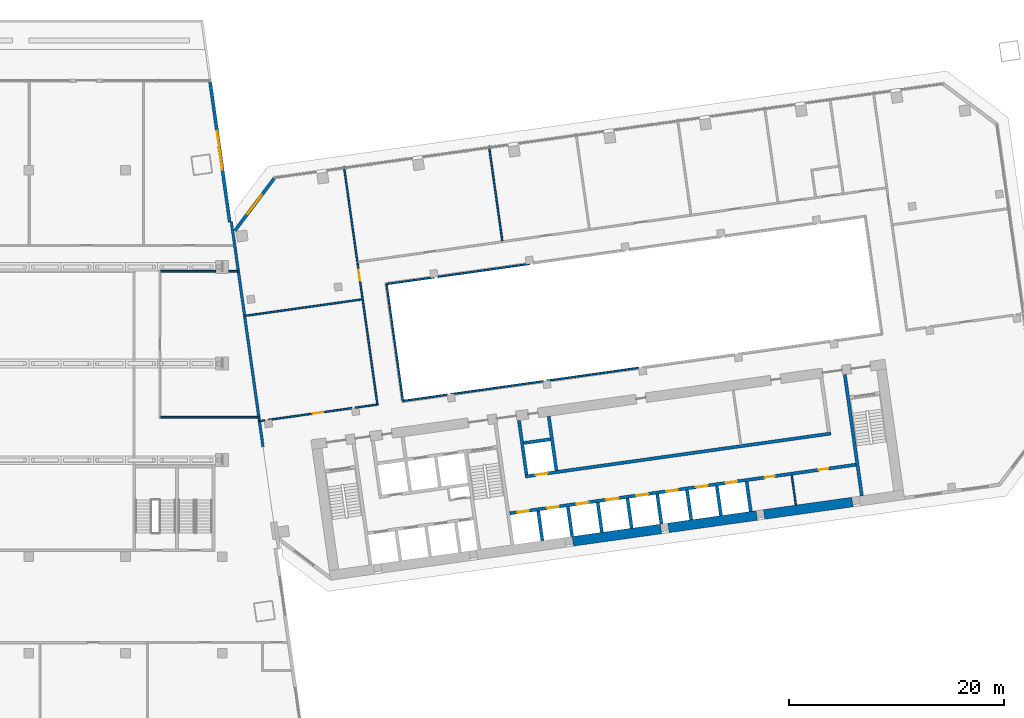
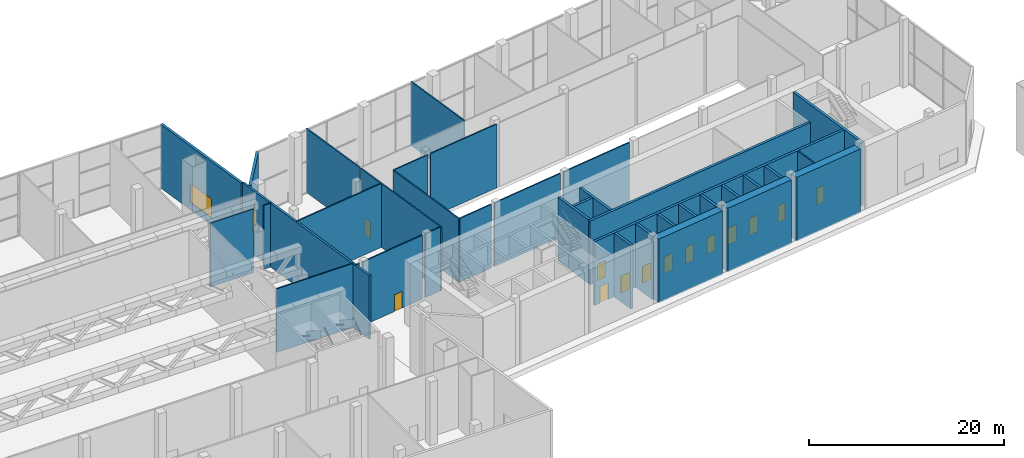
# One storey, part 23 of 31: 37 walls, 13 doors, 2 windows, 15 openings.
"""IFC4 building model written with IfcOpenShell, lengths in metres."""

import ifcopenshell
import ifcopenshell.guid

model = None  # the IFC model being written
_history = None  # IfcOwnerHistory: only IFC2X3 demands one
_inside = {}  # id of a spatial element -> (the spatial element, [elements in it])
_under = {}  # id of a project, library or spatial element -> (it, [spatial elements below it])
_declared = {}  # id of a project -> (the project, [libraries it declares])
_typed = {}  # id of a type object -> (the type object, [elements of that type])
_made_of = {}  # id of a material, layer set ... -> (it, [elements and type objects made of it])


def new_model(schema):
    """Start an empty IFC model of exactly this schema.

    Asked for "IFC4X3", IfcOpenShell would pick the latest addendum, in which some entities
    have other attributes; the version numbers below select the first issue.
    IFC2X3 requires an IfcOwnerHistory on every rooted entity: one is made here for all.
    """
    global model, _history
    if schema == "IFC4X3":
        model = ifcopenshell.file(schema_version=(4, 3, 0, 0))
    else:
        model = ifcopenshell.file(schema=schema)
    _inside.clear()
    _under.clear()
    _declared.clear()
    _typed.clear()
    _made_of.clear()
    _history = None
    if model.schema == "IFC2X3":
        org = make("IfcOrganization", Name="unknown")
        user = make(
            "IfcPersonAndOrganization",
            ThePerson=make("IfcPerson", FamilyName="unknown"),
            TheOrganization=org,
        )
        app = make(
            "IfcApplication",
            ApplicationDeveloper=org,
            Version="unknown",
            ApplicationFullName="unknown",
            ApplicationIdentifier="unknown",
        )
        _history = make(
            "IfcOwnerHistory",
            OwningUser=user,
            OwningApplication=app,
            ChangeAction="ADDED",
            CreationDate=0,
        )
    return model


def make(cls, **values):
    """One entity of the class cls with the attributes given. An attribute that is None is left unset."""
    return model.create_entity(
        cls, **{name: value for name, value in values.items() if value is not None}
    )


def rooted(cls, **values):
    """An entity with a GlobalId (a new one), such as an element, a storey or a relation."""
    return make(cls, GlobalId=ifcopenshell.guid.new(), OwnerHistory=_history, **values)


def si_unit(unit_type, name, prefix=None):
    """IfcSIUnit, for example si_unit("LENGTHUNIT", "METRE", prefix="MILLI")."""
    return make("IfcSIUnit", UnitType=unit_type, Prefix=prefix, Name=name)


def assignment(units):
    """IfcUnitAssignment: the units of a project."""
    return None if units is None else make("IfcUnitAssignment", Units=units)


def point(xyz):
    """IfcCartesianPoint."""
    return None if xyz is None else make("IfcCartesianPoint", Coordinates=xyz)


def direction(xyz):
    """IfcDirection."""
    return None if xyz is None else make("IfcDirection", DirectionRatios=xyz)


def frame(location, z_axis=None, x_axis=None):
    """IfcAxis2Placement3D, a coordinate frame: its origin and axes. An axis left out is left unset."""
    return make(
        "IfcAxis2Placement3D",
        Location=point(location),
        Axis=direction(z_axis),
        RefDirection=direction(x_axis),
    )


def frame_2d(location, x_axis=None):
    """IfcAxis2Placement2D, a coordinate frame in the plane: its origin and x axis."""
    return make(
        "IfcAxis2Placement2D", Location=point(location), RefDirection=direction(x_axis)
    )


def origin():
    """The frame at (0, 0, 0) with its axes left unset."""
    return frame((0.0, 0.0, 0.0))


def place(relative_to, where):
    """IfcLocalPlacement: puts the frame where relative to a parent placement (None: the world)."""
    return make(
        "IfcLocalPlacement", PlacementRelTo=relative_to, RelativePlacement=where
    )


def context(
    kind, dimensions, precision=None, world=None, true_north=None, identifier=None
):
    """IfcGeometricRepresentationContext, for example the 3D "Model" context."""
    return make(
        "IfcGeometricRepresentationContext",
        ContextIdentifier=identifier,
        ContextType=kind,
        CoordinateSpaceDimension=dimensions,
        Precision=precision,
        WorldCoordinateSystem=world,
        TrueNorth=true_north,
    )


def subcontext(parent, identifier, kind, view, scale=None):
    """IfcGeometricRepresentationSubContext, for example "Body" below "Model"."""
    return make(
        "IfcGeometricRepresentationSubContext",
        ContextIdentifier=identifier,
        ContextType=kind,
        ParentContext=parent,
        TargetScale=scale,
        TargetView=view,
    )


def project(units=None, contexts=None):
    """IfcProject with its units and contexts."""
    return rooted(
        "IfcProject",
        Name="project",
        RepresentationContexts=contexts,
        UnitsInContext=assignment(units),
    )


def spatial(cls, under=None, at=None, **own):
    """A site, building, storey or space (cls), placed at a placement, below another one or the project."""
    s = rooted(cls, ObjectPlacement=at, **own)
    if under is not None:
        _under.setdefault(under.id(), (under, []))[1].append(s)
    return s


def profile(cls, at=None, kind="AREA", **sizes):
    """A parametric profile (cls). Its sizes go by their IFC names, for example OverallWidth=200.0."""
    return make(cls, ProfileType=kind, Position=at, **sizes)


def rectangle(**sizes):
    """IfcRectangleProfileDef."""
    return profile("IfcRectangleProfileDef", **sizes)


def extrude(swept, where, along, depth):
    """IfcExtrudedAreaSolid: the profile swept, set in the frame where, extruded along a direction by depth."""
    return make(
        "IfcExtrudedAreaSolid",
        SweptArea=swept,
        Position=where,
        ExtrudedDirection=direction(along),
        Depth=depth,
    )


def shape(context_of_items, identifier, shape_type, items):
    """IfcShapeRepresentation: the items that make up one representation, for example the "Body"."""
    return make(
        "IfcShapeRepresentation",
        ContextOfItems=context_of_items,
        RepresentationIdentifier=identifier,
        RepresentationType=shape_type,
        Items=items,
    )


def material(Name=None, Category=None):
    """IfcMaterial."""
    return make("IfcMaterial", Name=Name, Category=Category)


def layer(
    of_material, thickness, ventilated=None, Name=None, Category=None, Priority=None
):
    """IfcMaterialLayer: one layer of a wall or slab, of a material (None: an air gap)."""
    return make(
        "IfcMaterialLayer",
        Material=of_material,
        LayerThickness=thickness,
        IsVentilated=ventilated,
        Name=Name,
        Category=Category,
        Priority=Priority,
    )


def layer_set(layers, Name=None):
    """IfcMaterialLayerSet."""
    return make("IfcMaterialLayerSet", MaterialLayers=layers, LayerSetName=Name)


def made_of(thing, what):
    """Note that an element or type object is made of a material, layer set ...; save() writes the relation."""
    if what is not None:
        _made_of.setdefault(what.id(), (what, []))[1].append(thing)
    return thing


def type_object(cls, material=None, **own):
    """A type object (cls), such as IfcWallType, which elements share."""
    return made_of(rooted(cls, **own), material)


def element(
    cls,
    number,
    at=None,
    inside=None,
    cuts=None,
    type_object=None,
    material=None,
    context=None,
    identifier="Body",
    shape_type=None,
    held_by="IfcProductDefinitionShape",
    body=None,
    shapes=None,
    **own,
):
    """One element of the class cls, such as IfcWall. Its Tag is "e" and its number.

    at: its placement. inside: the storey or other place that contains it. cuts: it is an
    opening in that element (IfcRelVoidsElement). A single representation is given by context,
    identifier, shape_type and body (its items); several are given by shapes. held_by: the class
    of the entity that holds the representations. save() writes the other relations.
    """
    e = rooted(cls, Tag="e%d" % number, ObjectPlacement=at, **own)
    if body is not None:
        shapes = [shape(context, identifier, shape_type, body)]
    if shapes is not None:
        e.Representation = make(held_by, Representations=shapes)
    if inside is not None:
        _inside.setdefault(inside.id(), (inside, []))[1].append(e)
    if cuts is not None:
        rooted(
            "IfcRelVoidsElement", RelatingBuildingElement=cuts, RelatedOpeningElement=e
        )
    if type_object is not None:
        _typed.setdefault(type_object.id(), (type_object, []))[1].append(e)
    return made_of(e, material)


def fill(opening, filler):
    """IfcRelFillsElement: the door or window that sits in an opening."""
    return rooted(
        "IfcRelFillsElement",
        RelatingOpeningElement=opening,
        RelatedBuildingElement=filler,
    )


def aggregate(whole, parts):
    """IfcRelAggregates: a whole, such as a stair, and the parts it consists of."""
    return rooted("IfcRelAggregates", RelatingObject=whole, RelatedObjects=parts)


def save(model, path):
    """Write the relations noted so far, then the file.

    IfcRelAggregates (storeys below a building ...), IfcRelContainedInSpatialStructure (elements
    in a storey), IfcRelDefinesByType, IfcRelAssociatesMaterial and IfcRelDeclares: one each for
    every whole, place, type object, material and project.
    """
    for whole, parts in _under.values():
        aggregate(whole, parts)
    for where, things in _inside.values():
        rooted(
            "IfcRelContainedInSpatialStructure",
            RelatedElements=things,
            RelatingStructure=where,
        )
    for kind, things in _typed.values():
        rooted("IfcRelDefinesByType", RelatedObjects=things, RelatingType=kind)
    for what, things in _made_of.values():
        rooted("IfcRelAssociatesMaterial", RelatedObjects=things, RelatingMaterial=what)
    for by, libraries in _declared.values():
        rooted("IfcRelDeclares", RelatingContext=by, RelatedDefinitions=libraries)
    model.write(path)


model = new_model("IFC4")

# Units and contexts
model_context = context("Model", 3, precision=1e-05, world=origin(), true_north=direction((0.0, 1.0)))
body_context = subcontext(model_context, "Body", "Model", "MODEL_VIEW")
ifc_project = project(units=[si_unit("LENGTHUNIT", "METRE"), si_unit("AREAUNIT", "SQUARE_METRE"), si_unit("VOLUMEUNIT", "CUBIC_METRE"), si_unit("PLANEANGLEUNIT", "RADIAN"), si_unit("MASSUNIT", "GRAM", prefix="KILO")], contexts=[model_context])

# Site, building, storey
site_placement = place(None, origin())
site = spatial("IfcSite", under=ifc_project, at=site_placement, CompositionType="ELEMENT")
building_placement = place(site_placement, origin())
building = spatial("IfcBuilding", under=site, at=building_placement, Name="Mirante Cascada Hotel Towers", CompositionType="ELEMENT")
storey_placement = place(building_placement, frame((0.0, 0.0, 9.0)))
storey = spatial("IfcBuildingStorey", under=building, at=storey_placement, Name="L01", CompositionType="ELEMENT", Elevation=9.0)

# Walls
ifc_material_1 = material(Name="Masonry block", Category="masonry")
ifc_layer_1 = layer(ifc_material_1, 0.15)
ifc_layer_set_1 = layer_set([ifc_layer_1], Name="Core room partition 150 block EI 30")
wall_type_1 = type_object("IfcWallType", Name="Core room partition 150 block EI 30", PredefinedType="PARTITIONING", material=ifc_layer_set_1)
wall_1_placement = place(storey_placement, frame((80.448, -13.1879, 0.0), z_axis=(0.0, 0.0, 1.0), x_axis=(-0.139176, 0.9902677, 0.0)))
element("IfcWall", 1, at=wall_1_placement, inside=storey, type_object=wall_type_1, Name="Core wall partition T2 L01 4", PredefinedType="PARTITIONING", context=body_context, shape_type="SweptSolid", body=[
    extrude(rectangle(XDim=2.8001, YDim=0.15, at=frame_2d((1.4, 0.0))), origin(), (0.0, 0.0, 1.0), 8.0),
])
ifc_material_2 = material(Name="Masonry block", Category="masonry")
ifc_layer_2 = layer(ifc_material_2, 0.15)
ifc_layer_set_2 = layer_set([ifc_layer_2], Name="Corridor wall 150 block")
wall_type_2 = type_object("IfcWallType", Name="Corridor wall 150 block", PredefinedType="PARTITIONING", material=ifc_layer_set_2)
wall_2_placement = place(storey_placement, frame((21.275, -5.0, 0.0), z_axis=(0.0, 0.0, 1.0), x_axis=(1.0, 0.0, 0.0)))
element("IfcWall", 2, at=wall_2_placement, inside=storey, type_object=wall_type_2, Name="Corridor wall P L01", PredefinedType="PARTITIONING", context=body_context, shape_type="SweptSolid", body=[
    extrude(rectangle(XDim=9.1466, YDim=0.15, at=frame_2d((4.5733, 0.0))), origin(), (0.0, 0.0, 1.0), 8.0),
])
wall_3_placement = place(storey_placement, frame((21.265, 8.6, 0.0), z_axis=(0.0, 0.0, 1.0), x_axis=(1.0, 0.0, 0.0)))
element("IfcWall", 3, at=wall_3_placement, inside=storey, type_object=wall_type_2, Name="Corridor wall P L01", PredefinedType="PARTITIONING", context=body_context, shape_type="SweptSolid", body=[
    extrude(rectangle(XDim=5.135, YDim=0.15, at=frame_2d((2.5675, 0.0))), origin(), (0.0, 0.0, 1.0), 8.0),
])

# Wall, opening, door
wall_4_placement = place(storey_placement, frame((39.6107, 9.3732, 0.0), z_axis=(0.0, 0.0, 1.0), x_axis=(0.1391716, -0.9902683, 0.0)))
wall_4 = element("IfcWall", 4, at=wall_4_placement, inside=storey, type_object=wall_type_2, Name="Corridor wall T2 L01", PredefinedType="PARTITIONING", context=body_context, shape_type="SweptSolid", body=[
    extrude(rectangle(XDim=13.4, YDim=0.15, at=frame_2d((6.7, 0.0))), origin(), (0.0, 0.0, 1.0), 8.0),
])
opening_1_placement = place(wall_4_placement, frame((0.6675, 0.0, 0.0)))
opening_1 = element("IfcOpeningElement", 5, at=opening_1_placement, cuts=wall_4, Name="Opening DP2-L01-02", PredefinedType="OPENING", context=body_context, shape_type="SweptSolid", body=[
    extrude(rectangle(XDim=1.0, YDim=2.1, at=frame_2d((0.5, 1.05))), frame((0.0, 0.075, 0.0), z_axis=(0.0, -1.0, 0.0), x_axis=(1.0, 0.0, 0.0)), (0.0, 0.0, 1.0), 0.15),
])
ifc_material_3 = material(Name="Timber door leaf", Category="wood")
door_type_1 = type_object("IfcDoorType", Name="Single door 1000x2100", OperationType="NOTDEFINED", PredefinedType="DOOR", material=ifc_material_3)
door_1_placement = place(opening_1_placement, frame((1.0, 0.0, 0.0), z_axis=(0.0, 0.0, 1.0), x_axis=(-1.0, 0.0, 0.0)))
door_1 = element("IfcDoor", 6, at=door_1_placement, inside=storey, type_object=door_type_1, Name="Door DP2-L01-02", OperationType="SINGLE_SWING_RIGHT", OverallHeight=2.1, OverallWidth=1.0, PredefinedType="DOOR", context=body_context, shape_type="SweptSolid", body=[
    extrude(rectangle(XDim=1.0, YDim=2.1, at=frame_2d((0.5, 1.05))), frame((0.0, 0.025, 0.0), z_axis=(0.0, -1.0, 0.0), x_axis=(1.0, 0.0, 0.0)), (0.0, 0.0, 1.0), 0.05),
])
fill(opening_1, door_1)

# Walls
wall_5_placement = place(storey_placement, frame((42.3151, 7.3752, 0.0), z_axis=(0.0, 0.0, 1.0), x_axis=(0.1391674, -0.9902689, 0.0)))
element("IfcWall", 7, at=wall_5_placement, inside=storey, type_object=wall_type_2, Name="Corridor wall T2 L01", PredefinedType="PARTITIONING", context=body_context, shape_type="SweptSolid", body=[
    extrude(rectangle(XDim=10.9401, YDim=0.15, at=frame_2d((5.47, 0.0))), origin(), (0.0, 0.0, 1.0), 8.0),
])
wall_6_placement = place(storey_placement, frame((30.4732, -5.3669, 0.0), z_axis=(0.0, 0.0, 1.0), x_axis=(0.9902657, 0.1391899, 0.0)))
element("IfcWall", 8, at=wall_6_placement, inside=storey, type_object=wall_type_2, Name="Corridor wall T2 L01", PredefinedType="PARTITIONING", context=body_context, shape_type="SweptSolid", body=[
    extrude(rectangle(XDim=0.4957, YDim=0.15, at=frame_2d((0.2478, 0.0))), origin(), (0.0, 0.0, 1.0), 8.0),
])
wall_7_placement = place(storey_placement, frame((43.8715, -3.4839, 0.0), z_axis=(0.0, 0.0, 1.0), x_axis=(0.9902667, 0.1391827, 0.0)))
element("IfcWall", 9, at=wall_7_placement, inside=storey, type_object=wall_type_2, Name="Corridor wall T2 L01", PredefinedType="PARTITIONING", context=body_context, shape_type="SweptSolid", body=[
    extrude(rectangle(XDim=4.1657, YDim=0.15, at=frame_2d((2.0828, 0.0))), origin(), (0.0, 0.0, 1.0), 8.0),
])
wall_8_placement = place(storey_placement, frame((42.3406, 7.409, 0.0), z_axis=(0.0, 0.0, 1.0), x_axis=(0.9902682, 0.1391725, 0.0)))
element("IfcWall", 10, at=wall_8_placement, inside=storey, type_object=wall_type_2, Name="Corridor wall T2 L01", PredefinedType="PARTITIONING", context=body_context, shape_type="SweptSolid", body=[
    extrude(rectangle(XDim=4.4456, YDim=0.15, at=frame_2d((2.2228, 0.0))), origin(), (0.0, 0.0, 1.0), 8.0),
])
wall_9_placement = place(storey_placement, frame((27.6, 8.6, 0.0), z_axis=(0.0, 0.0, 1.0), x_axis=(1.0, 0.0, 0.0)))
element("IfcWall", 11, at=wall_9_placement, inside=storey, type_object=wall_type_2, Name="Corridor wall P L01", PredefinedType="PARTITIONING", context=body_context, shape_type="SweptSolid", body=[
    extrude(rectangle(XDim=0.9103, YDim=0.15, at=frame_2d((0.4552, 0.0))), origin(), (0.0, 0.0, 1.0), 8.0),
])

# Wall, opening, door
wall_10_placement = place(storey_placement, frame((31.2896, -5.2522, 0.0), z_axis=(0.0, 0.0, 1.0), x_axis=(0.9902676, 0.1391764, 0.0)))
wall_10 = element("IfcWall", 12, at=wall_10_placement, inside=storey, type_object=wall_type_2, Name="Corridor wall T2 L01", PredefinedType="PARTITIONING", context=body_context, shape_type="SweptSolid", body=[
    extrude(rectangle(XDim=7.8713, YDim=0.15, at=frame_2d((3.9356, 0.0))), origin(), (0.0, 0.0, 1.0), 8.0),
])
opening_2_placement = place(wall_10_placement, frame((4.193, 0.0, 0.0)))
opening_2 = element("IfcOpeningElement", 13, at=opening_2_placement, cuts=wall_10, Name="Opening DP2-L01-01", PredefinedType="OPENING", context=body_context, shape_type="SweptSolid", body=[
    extrude(rectangle(XDim=1.0, YDim=2.1, at=frame_2d((0.5, 1.05))), frame((0.0, 0.075, 0.0), z_axis=(0.0, -1.0, 0.0), x_axis=(1.0, 0.0, 0.0)), (0.0, 0.0, 1.0), 0.15),
])
door_2_placement = place(opening_2_placement, frame((1.0, 0.0, 0.0), z_axis=(0.0, 0.0, 1.0), x_axis=(-1.0, 0.0, 0.0)))
door_2 = element("IfcDoor", 14, at=door_2_placement, inside=storey, type_object=door_type_1, Name="Door DP2-L01-01", OperationType="SINGLE_SWING_LEFT", OverallHeight=2.1, OverallWidth=1.0, PredefinedType="DOOR", context=body_context, shape_type="SweptSolid", body=[
    extrude(rectangle(XDim=1.0, YDim=2.1, at=frame_2d((0.5, 1.05))), frame((0.0, 0.025, 0.0), z_axis=(0.0, -1.0, 0.0), x_axis=(1.0, 0.0, 0.0)), (0.0, 0.0, 1.0), 0.05),
])
fill(opening_2, door_2)

# Walls
wall_11_placement = place(storey_placement, frame((39.4096, -4.1109, 0.0), z_axis=(0.0, 0.0, 1.0), x_axis=(0.9902711, 0.1391512, 0.0)))
element("IfcWall", 15, at=wall_11_placement, inside=storey, type_object=wall_type_2, Name="Corridor wall T2 L01", PredefinedType="PARTITIONING", context=body_context, shape_type="SweptSolid", body=[
    extrude(rectangle(XDim=2.0108, YDim=0.15, at=frame_2d((1.0054, 0.0))), origin(), (0.0, 0.0, 1.0), 8.0),
])
wall_12_placement = place(storey_placement, frame((48.3223, -2.8584, 0.0), z_axis=(0.0, 0.0, 1.0), x_axis=(0.990268, 0.1391735, 0.0)))
element("IfcWall", 16, at=wall_12_placement, inside=storey, type_object=wall_type_2, Name="Corridor wall T2 L01", PredefinedType="PARTITIONING", context=body_context, shape_type="SweptSolid", body=[
    extrude(rectangle(XDim=8.6712, YDim=0.15, at=frame_2d((4.3356, 0.0))), origin(), (0.0, 0.0, 1.0), 8.0),
])
for number, where, z_axis, x_axis, name in (
    (17, (57.2347, -1.6058, 0.0), (0.0, 0.0, 1.0), (0.9902682, 0.139172, 0.0), "Corridor wall T2 L01"),
    (18, (47.0684, 8.0735, 0.0), (0.0, 0.0, 1.0), (0.9902682, 0.139172, 0.0), "Corridor wall T2 L01"),
):
    element("IfcWall", number, at=place(storey_placement, frame(where, z_axis=z_axis, x_axis=x_axis)), inside=storey, type_object=wall_type_2, Name=name, PredefinedType="PARTITIONING", context=body_context, shape_type="SweptSolid", body=[
        extrude(rectangle(XDim=8.6713, YDim=0.15, at=frame_2d((4.3356, 0.0))), origin(), (0.0, 0.0, 1.0), 8.0),
    ])
ifc_material_4 = material(Name="Masonry block", Category="masonry")
ifc_layer_3 = layer(ifc_material_4, 0.15)
ifc_layer_set_3 = layer_set([ifc_layer_3], Name="Partition 150 block")
wall_type_3 = type_object("IfcWallType", Name="Partition 150 block", PredefinedType="PARTITIONING", material=ifc_layer_set_3)
wall_13_placement = place(storey_placement, frame((38.3477, 18.3599, 0.0), z_axis=(0.0, 0.0, 1.0), x_axis=(0.1391725, -0.9902682, 0.0)))
element("IfcWall", 19, at=wall_13_placement, inside=storey, type_object=wall_type_3, Name="Partition T2 L01", PredefinedType="PARTITIONING", context=body_context, shape_type="SweptSolid", body=[
    extrude(rectangle(XDim=8.935, YDim=0.15, at=frame_2d((4.4675, 0.0))), origin(), (0.0, 0.0, 1.0), 8.0),
])
wall_14_placement = place(storey_placement, frame((51.8587, 20.2588, 0.0), z_axis=(0.0, 0.0, 1.0), x_axis=(0.139181, -0.990267, 0.0)))
element("IfcWall", 20, at=wall_14_placement, inside=storey, type_object=wall_type_3, Name="Partition T2 L01", PredefinedType="PARTITIONING", context=body_context, shape_type="SweptSolid", body=[
    extrude(rectangle(XDim=8.9251, YDim=0.15, at=frame_2d((4.4626, 0.0))), origin(), (0.0, 0.0, 1.0), 8.0),
])
wall_15_placement = place(storey_placement, frame((29.0954, 4.4367, 0.0), z_axis=(0.0, 0.0, 1.0), x_axis=(0.9902679, 0.1391746, 0.0)))
element("IfcWall", 21, at=wall_15_placement, inside=storey, type_object=wall_type_3, Name="Partition T2 L01", PredefinedType="PARTITIONING", context=body_context, shape_type="SweptSolid", body=[
    extrude(rectangle(XDim=11.025, YDim=0.15, at=frame_2d((5.5125, 0.0))), origin(), (0.0, 0.0, 1.0), 8.0),
])
ifc_material_5 = material(Name="Masonry block", Category="masonry")
ifc_layer_4 = layer(ifc_material_5, 0.25)
ifc_layer_set_4 = layer_set([ifc_layer_4], Name="Plant room wall 250 block EI 120")
wall_type_4 = type_object("IfcWallType", Name="Plant room wall 250 block EI 120", PredefinedType="PARTITIONING", material=ifc_layer_set_4)
wall_16_placement = place(storey_placement, frame((30.8072, -7.7436, 0.0), z_axis=(0.0, 0.0, 1.0), x_axis=(-0.1391722, 0.9902682, 0.0)))
element("IfcWall", 22, at=wall_16_placement, inside=storey, type_object=wall_type_4, Name="Compartment wall T2 L01", PredefinedType="PARTITIONING", context=body_context, shape_type="SweptSolid", body=[
    extrude(rectangle(XDim=21.1486, YDim=0.25, at=frame_2d((10.5743, 0.0))), origin(), (0.0, 0.0, 1.0), 8.0),
])

# Wall, opening, window
ifc_material_6 = material(Name="Precast concrete C40/50", Category="concrete")
ifc_layer_5 = layer(ifc_material_6, 0.3)
ifc_layer_set_5 = layer_set([ifc_layer_5], Name="Precast concrete C40/50 cladding wall 300")
wall_type_5 = type_object("IfcWallType", Name="Precast concrete C40/50 cladding wall 300", PredefinedType="STANDARD", material=ifc_layer_set_5)
wall_17_placement = place(storey_placement, frame((31.857, 17.252, 0.0), z_axis=(0.0, 0.0, 1.0), x_axis=(-0.6018141, -0.7986362, 0.0)))
wall_17 = element("IfcWall", 23, at=wall_17_placement, inside=storey, type_object=wall_type_5, Name="Corner cladding wall T2 L01 front inner", PredefinedType="STANDARD", context=body_context, shape_type="SweptSolid", body=[
    extrude(rectangle(XDim=6.1157, YDim=0.3, at=frame_2d((3.0578, 0.0))), origin(), (0.0, 0.0, 1.0), 8.0),
])
opening_3_placement = place(wall_17_placement, frame((1.9578, 0.0, 0.6)))
opening_3 = element("IfcOpeningElement", 24, at=opening_3_placement, cuts=wall_17, Name="Opening W2-01-04", PredefinedType="OPENING", context=body_context, shape_type="SweptSolid", body=[
    extrude(rectangle(XDim=2.2, YDim=2.4, at=frame_2d((1.1, 1.2))), frame((0.0, 0.15, 0.0), z_axis=(0.0, -1.0, 0.0), x_axis=(1.0, 0.0, 0.0)), (0.0, 0.0, 1.0), 0.3),
])
ifc_material_7 = material(Name="Aluminium frame with clear double glazing", Category="aluminium")
window_type_1 = type_object("IfcWindowType", Name="Corner suite window 2200x2400", PartitioningType="DOUBLE_PANEL_VERTICAL", PredefinedType="WINDOW", material=ifc_material_7)
window_1_placement = place(opening_3_placement, origin())
window_1 = element("IfcWindow", 25, at=window_1_placement, inside=storey, type_object=window_type_1, Name="Window W2-01-04", OverallHeight=2.4, OverallWidth=2.2, PartitioningType="SINGLE_PANEL", PredefinedType="WINDOW", context=body_context, shape_type="SweptSolid", body=[
    extrude(rectangle(XDim=2.2, YDim=2.4, at=frame_2d((1.1, 1.2))), frame((0.0, 0.03, 0.0), z_axis=(0.0, -1.0, 0.0), x_axis=(1.0, 0.0, 0.0)), (0.0, 0.0, 1.0), 0.06),
])
fill(opening_3, window_1)

wall_18_placement = place(storey_placement, frame((27.7154, 13.1783, 0.0), z_axis=(0.0, 0.0, 1.0), x_axis=(-0.1391727, 0.9902681, 0.0)))
wall_18 = element("IfcWall", 26, at=wall_18_placement, inside=storey, type_object=wall_type_5, Name="Podium cladding wall L01 P:L01:3", PredefinedType="STANDARD", context=body_context, shape_type="SweptSolid", body=[
    extrude(rectangle(XDim=13.4315, YDim=0.3, at=frame_2d((6.7158, 0.0))), origin(), (0.0, 0.0, 1.0), 8.0),
])
opening_4_placement = place(wall_18_placement, frame((4.9158, 0.0, 0.9)))
opening_4 = element("IfcOpeningElement", 27, at=opening_4_placement, cuts=wall_18, Name="Opening WP-01-07", PredefinedType="OPENING", context=body_context, shape_type="SweptSolid", body=[
    extrude(rectangle(XDim=3.6, YDim=2.4, at=frame_2d((1.8, 1.2))), frame((0.0, 0.15, 0.0), z_axis=(0.0, -1.0, 0.0), x_axis=(1.0, 0.0, 0.0)), (0.0, 0.0, 1.0), 0.3),
])
ifc_material_8 = material(Name="Aluminium frame with clear double glazing", Category="aluminium")
window_type_2 = type_object("IfcWindowType", Name="Podium punched window 3600x2400", PartitioningType="DOUBLE_PANEL_VERTICAL", PredefinedType="WINDOW", material=ifc_material_8)
window_2_placement = place(opening_4_placement, origin())
window_2 = element("IfcWindow", 28, at=window_2_placement, inside=storey, type_object=window_type_2, Name="Window WP-01-07", OverallHeight=2.4, OverallWidth=3.6, PartitioningType="SINGLE_PANEL", PredefinedType="WINDOW", context=body_context, shape_type="SweptSolid", body=[
    extrude(rectangle(XDim=3.6, YDim=2.4, at=frame_2d((1.8, 1.2))), frame((0.0, 0.03, 0.0), z_axis=(0.0, -1.0, 0.0), x_axis=(1.0, 0.0, 0.0)), (0.0, 0.0, 1.0), 0.06),
])
fill(opening_4, window_2)

# Wall
ifc_material_9 = material(Name="Concrete C50/60", Category="concrete")
ifc_layer_6 = layer(ifc_material_9, 0.3)
ifc_layer_set_6 = layer_set([ifc_layer_6], Name="RC core wall 300 C50/60")
wall_type_6 = type_object("IfcWallType", Name="RC core wall 300 C50/60", PredefinedType="SHEAR", material=ifc_layer_set_6)
wall_19_placement = place(storey_placement, frame((86.5877, -12.325, 0.0), z_axis=(0.0, 0.0, 1.0), x_axis=(-0.1391749, 0.9902678, 0.0)))
element("IfcWall", 29, at=wall_19_placement, inside=storey, type_object=wall_type_6, Name="Core wall T2:L01:8", PredefinedType="SHEAR", context=body_context, shape_type="SweptSolid", body=[
    extrude(rectangle(XDim=11.4, YDim=0.3, at=frame_2d((5.7, 0.0))), origin(), (0.0, 0.0, 1.0), 8.0),
])

# Wall, openings, doors
wall_20_placement = place(storey_placement, frame((53.7953, -13.9547, 0.0), z_axis=(0.0, 0.0, 1.0), x_axis=(0.990268, 0.1391733, 0.0)))
wall_20 = element("IfcWall", 30, at=wall_20_placement, inside=storey, type_object=wall_type_6, Name="Core wall T2:L01:24", PredefinedType="SHEAR", context=body_context, shape_type="SweptSolid", body=[
    extrude(rectangle(XDim=32.5501, YDim=0.3, at=frame_2d((16.275, 0.0))), origin(), (0.0, 0.0, 1.0), 8.0),
])
opening_5_placement = place(wall_20_placement, frame((0.7, 0.0, 0.0)))
opening_5 = element("IfcOpeningElement", 31, at=opening_5_placement, cuts=wall_20, Name="Opening LD", PredefinedType="OPENING", context=body_context, shape_type="SweptSolid", body=[
    extrude(rectangle(XDim=1.1, YDim=2.1, at=frame_2d((0.55, 1.05))), frame((0.0, 0.15, 0.0), z_axis=(0.0, -1.0, 0.0), x_axis=(1.0, 0.0, 0.0)), (0.0, 0.0, 1.0), 0.3),
])
opening_6_placement = place(wall_20_placement, frame((3.5, 0.0, 0.0)))
opening_6 = element("IfcOpeningElement", 32, at=opening_6_placement, cuts=wall_20, Name="Opening LD", PredefinedType="OPENING", context=body_context, shape_type="SweptSolid", body=[
    extrude(rectangle(XDim=1.1, YDim=2.1, at=frame_2d((0.55, 1.05))), frame((0.0, 0.15, 0.0), z_axis=(0.0, -1.0, 0.0), x_axis=(1.0, 0.0, 0.0)), (0.0, 0.0, 1.0), 0.3),
])
opening_7_placement = place(wall_20_placement, frame((6.3, 0.0, 0.0)))
opening_7 = element("IfcOpeningElement", 33, at=opening_7_placement, cuts=wall_20, Name="Opening LD", PredefinedType="OPENING", context=body_context, shape_type="SweptSolid", body=[
    extrude(rectangle(XDim=1.1, YDim=2.1, at=frame_2d((0.55, 1.05))), frame((0.0, 0.15, 0.0), z_axis=(0.0, -1.0, 0.0), x_axis=(1.0, 0.0, 0.0)), (0.0, 0.0, 1.0), 0.3),
])
opening_8_placement = place(wall_20_placement, frame((9.1, 0.0, 0.0)))
opening_8 = element("IfcOpeningElement", 34, at=opening_8_placement, cuts=wall_20, Name="Opening LD", PredefinedType="OPENING", context=body_context, shape_type="SweptSolid", body=[
    extrude(rectangle(XDim=1.1, YDim=2.1, at=frame_2d((0.55, 1.05))), frame((0.0, 0.15, 0.0), z_axis=(0.0, -1.0, 0.0), x_axis=(1.0, 0.0, 0.0)), (0.0, 0.0, 1.0), 0.3),
])
opening_9_placement = place(wall_20_placement, frame((11.9, 0.0, 0.0)))
opening_9 = element("IfcOpeningElement", 35, at=opening_9_placement, cuts=wall_20, Name="Opening LD", PredefinedType="OPENING", context=body_context, shape_type="SweptSolid", body=[
    extrude(rectangle(XDim=1.1, YDim=2.1, at=frame_2d((0.55, 1.05))), frame((0.0, 0.15, 0.0), z_axis=(0.0, -1.0, 0.0), x_axis=(1.0, 0.0, 0.0)), (0.0, 0.0, 1.0), 0.3),
])
opening_10_placement = place(wall_20_placement, frame((14.7, 0.0, 0.0)))
opening_10 = element("IfcOpeningElement", 36, at=opening_10_placement, cuts=wall_20, Name="Opening LD", PredefinedType="OPENING", context=body_context, shape_type="SweptSolid", body=[
    extrude(rectangle(XDim=1.1, YDim=2.1, at=frame_2d((0.55, 1.05))), frame((0.0, 0.15, 0.0), z_axis=(0.0, -1.0, 0.0), x_axis=(1.0, 0.0, 0.0)), (0.0, 0.0, 1.0), 0.3),
])
opening_11_placement = place(wall_20_placement, frame((17.5, 0.0, 0.0)))
opening_11 = element("IfcOpeningElement", 37, at=opening_11_placement, cuts=wall_20, Name="Opening LD", PredefinedType="OPENING", context=body_context, shape_type="SweptSolid", body=[
    extrude(rectangle(XDim=1.1, YDim=2.1, at=frame_2d((0.55, 1.05))), frame((0.0, 0.15, 0.0), z_axis=(0.0, -1.0, 0.0), x_axis=(1.0, 0.0, 0.0)), (0.0, 0.0, 1.0), 0.3),
])
opening_12_placement = place(wall_20_placement, frame((20.3, 0.0, 0.0)))
opening_12 = element("IfcOpeningElement", 38, at=opening_12_placement, cuts=wall_20, Name="Opening LD", PredefinedType="OPENING", context=body_context, shape_type="SweptSolid", body=[
    extrude(rectangle(XDim=1.1, YDim=2.1, at=frame_2d((0.55, 1.05))), frame((0.0, 0.15, 0.0), z_axis=(0.0, -1.0, 0.0), x_axis=(1.0, 0.0, 0.0)), (0.0, 0.0, 1.0), 0.3),
])
opening_13_placement = place(wall_20_placement, frame((24.0, 0.0, 0.0)))
opening_13 = element("IfcOpeningElement", 39, at=opening_13_placement, cuts=wall_20, Name="Opening D2-01-C28", PredefinedType="OPENING", context=body_context, shape_type="SweptSolid", body=[
    extrude(rectangle(XDim=0.9, YDim=2.1, at=frame_2d((0.45, 1.05))), frame((0.0, 0.15, 0.0), z_axis=(0.0, -1.0, 0.0), x_axis=(1.0, 0.0, 0.0)), (0.0, 0.0, 1.0), 0.3),
])
opening_14_placement = place(wall_20_placement, frame((29.075, 0.0, 0.0)))
opening_14 = element("IfcOpeningElement", 40, at=opening_14_placement, cuts=wall_20, Name="Opening D2-01-C29", PredefinedType="OPENING", context=body_context, shape_type="SweptSolid", body=[
    extrude(rectangle(XDim=0.9, YDim=2.1, at=frame_2d((0.45, 1.05))), frame((0.0, 0.15, 0.0), z_axis=(0.0, -1.0, 0.0), x_axis=(1.0, 0.0, 0.0)), (0.0, 0.0, 1.0), 0.3),
])
ifc_material_10 = material(Name="Hollow metal fire door leaf")
door_type_2 = type_object("IfcDoorType", Name="Fire door 900x2100 FD60", OperationType="NOTDEFINED", PredefinedType="DOOR", material=ifc_material_10)
door_3_placement = place(opening_13_placement, frame((0.9, 0.0, 0.0), z_axis=(0.0, 0.0, 1.0), x_axis=(-1.0, 0.0, 0.0)))
door_3 = element("IfcDoor", 41, at=door_3_placement, inside=storey, type_object=door_type_2, Name="Room door T2 L01 28", OperationType="SINGLE_SWING_RIGHT", OverallHeight=2.1, OverallWidth=0.9, PredefinedType="DOOR", context=body_context, shape_type="SweptSolid", body=[
    extrude(rectangle(XDim=0.9, YDim=2.1, at=frame_2d((0.45, 1.05))), frame((0.0, 0.025, 0.0), z_axis=(0.0, -1.0, 0.0), x_axis=(1.0, 0.0, 0.0)), (0.0, 0.0, 1.0), 0.05),
])
fill(opening_13, door_3)
door_4_placement = place(opening_14_placement, frame((0.9, 0.0, 0.0), z_axis=(0.0, 0.0, 1.0), x_axis=(-1.0, 0.0, 0.0)))
door_4 = element("IfcDoor", 42, at=door_4_placement, inside=storey, type_object=door_type_2, Name="Room door T2 L01 29", OperationType="SINGLE_SWING_RIGHT", OverallHeight=2.1, OverallWidth=0.9, PredefinedType="DOOR", context=body_context, shape_type="SweptSolid", body=[
    extrude(rectangle(XDim=0.9, YDim=2.1, at=frame_2d((0.45, 1.05))), frame((0.0, 0.025, 0.0), z_axis=(0.0, -1.0, 0.0), x_axis=(1.0, 0.0, 0.0)), (0.0, 0.0, 1.0), 0.05),
])
fill(opening_14, door_4)
ifc_material_11 = material(Name="Stainless steel", Category="steel")
door_type_3 = type_object("IfcDoorType", Name="Lift landing door 1100x2100 EI 120", OperationType="DOUBLE_DOOR_SLIDING", PredefinedType="DOOR", material=ifc_material_11)
door_5_placement = place(opening_5_placement, origin())
door_5 = element("IfcDoor", 43, at=door_5_placement, inside=storey, type_object=door_type_3, Name="Lift landing door LR2-1 L01", OperationType="DOUBLE_DOOR_SLIDING", OverallHeight=2.1, OverallWidth=1.1, PredefinedType="DOOR", context=body_context, shape_type="SweptSolid", body=[
    extrude(rectangle(XDim=0.545, YDim=2.1, at=frame_2d((0.2725, 1.05))), frame((0.0, 0.025, 0.0), z_axis=(0.0, -1.0, 0.0), x_axis=(1.0, 0.0, 0.0)), (0.0, 0.0, 1.0), 0.05),
    extrude(rectangle(XDim=0.545, YDim=2.1, at=frame_2d((0.8275, 1.05))), frame((0.0, 0.025, 0.0), z_axis=(0.0, -1.0, 0.0), x_axis=(1.0, 0.0, 0.0)), (0.0, 0.0, 1.0), 0.05),
])
fill(opening_5, door_5)
door_6_placement = place(opening_6_placement, origin())
door_6 = element("IfcDoor", 44, at=door_6_placement, inside=storey, type_object=door_type_3, Name="Lift landing door LR2-2 L01", OperationType="DOUBLE_DOOR_SLIDING", OverallHeight=2.1, OverallWidth=1.1, PredefinedType="DOOR", context=body_context, shape_type="SweptSolid", body=[
    extrude(rectangle(XDim=0.545, YDim=2.1, at=frame_2d((0.2725, 1.05))), frame((0.0, 0.025, 0.0), z_axis=(0.0, -1.0, 0.0), x_axis=(1.0, 0.0, 0.0)), (0.0, 0.0, 1.0), 0.05),
    extrude(rectangle(XDim=0.545, YDim=2.1, at=frame_2d((0.8275, 1.05))), frame((0.0, 0.025, 0.0), z_axis=(0.0, -1.0, 0.0), x_axis=(1.0, 0.0, 0.0)), (0.0, 0.0, 1.0), 0.05),
])
fill(opening_6, door_6)
door_7_placement = place(opening_7_placement, origin())
door_7 = element("IfcDoor", 45, at=door_7_placement, inside=storey, type_object=door_type_3, Name="Lift landing door SV2-1 L01", OperationType="DOUBLE_DOOR_SLIDING", OverallHeight=2.1, OverallWidth=1.1, PredefinedType="DOOR", context=body_context, shape_type="SweptSolid", body=[
    extrude(rectangle(XDim=0.545, YDim=2.1, at=frame_2d((0.2725, 1.05))), frame((0.0, 0.025, 0.0), z_axis=(0.0, -1.0, 0.0), x_axis=(1.0, 0.0, 0.0)), (0.0, 0.0, 1.0), 0.05),
    extrude(rectangle(XDim=0.545, YDim=2.1, at=frame_2d((0.8275, 1.05))), frame((0.0, 0.025, 0.0), z_axis=(0.0, -1.0, 0.0), x_axis=(1.0, 0.0, 0.0)), (0.0, 0.0, 1.0), 0.05),
])
fill(opening_7, door_7)
door_8_placement = place(opening_8_placement, origin())
door_8 = element("IfcDoor", 46, at=door_8_placement, inside=storey, type_object=door_type_3, Name="Lift landing door SV2-2 L01", OperationType="DOUBLE_DOOR_SLIDING", OverallHeight=2.1, OverallWidth=1.1, PredefinedType="DOOR", context=body_context, shape_type="SweptSolid", body=[
    extrude(rectangle(XDim=0.545, YDim=2.1, at=frame_2d((0.2725, 1.05))), frame((0.0, 0.025, 0.0), z_axis=(0.0, -1.0, 0.0), x_axis=(1.0, 0.0, 0.0)), (0.0, 0.0, 1.0), 0.05),
    extrude(rectangle(XDim=0.545, YDim=2.1, at=frame_2d((0.8275, 1.05))), frame((0.0, 0.025, 0.0), z_axis=(0.0, -1.0, 0.0), x_axis=(1.0, 0.0, 0.0)), (0.0, 0.0, 1.0), 0.05),
])
fill(opening_8, door_8)
door_9_placement = place(opening_9_placement, origin())
door_9 = element("IfcDoor", 47, at=door_9_placement, inside=storey, type_object=door_type_3, Name="Lift landing door SV2-3 L01", OperationType="DOUBLE_DOOR_SLIDING", OverallHeight=2.1, OverallWidth=1.1, PredefinedType="DOOR", context=body_context, shape_type="SweptSolid", body=[
    extrude(rectangle(XDim=0.545, YDim=2.1, at=frame_2d((0.2725, 1.05))), frame((0.0, 0.025, 0.0), z_axis=(0.0, -1.0, 0.0), x_axis=(1.0, 0.0, 0.0)), (0.0, 0.0, 1.0), 0.05),
    extrude(rectangle(XDim=0.545, YDim=2.1, at=frame_2d((0.8275, 1.05))), frame((0.0, 0.025, 0.0), z_axis=(0.0, -1.0, 0.0), x_axis=(1.0, 0.0, 0.0)), (0.0, 0.0, 1.0), 0.05),
])
fill(opening_9, door_9)
door_10_placement = place(opening_10_placement, origin())
door_10 = element("IfcDoor", 48, at=door_10_placement, inside=storey, type_object=door_type_3, Name="Lift landing door SV2-4 L01", OperationType="DOUBLE_DOOR_SLIDING", OverallHeight=2.1, OverallWidth=1.1, PredefinedType="DOOR", context=body_context, shape_type="SweptSolid", body=[
    extrude(rectangle(XDim=0.545, YDim=2.1, at=frame_2d((0.2725, 1.05))), frame((0.0, 0.025, 0.0), z_axis=(0.0, -1.0, 0.0), x_axis=(1.0, 0.0, 0.0)), (0.0, 0.0, 1.0), 0.05),
    extrude(rectangle(XDim=0.545, YDim=2.1, at=frame_2d((0.8275, 1.05))), frame((0.0, 0.025, 0.0), z_axis=(0.0, -1.0, 0.0), x_axis=(1.0, 0.0, 0.0)), (0.0, 0.0, 1.0), 0.05),
])
fill(opening_10, door_10)
door_11_placement = place(opening_11_placement, origin())
door_11 = element("IfcDoor", 49, at=door_11_placement, inside=storey, type_object=door_type_3, Name="Lift landing door PS2-1 L01", OperationType="DOUBLE_DOOR_SLIDING", OverallHeight=2.1, OverallWidth=1.1, PredefinedType="DOOR", context=body_context, shape_type="SweptSolid", body=[
    extrude(rectangle(XDim=0.545, YDim=2.1, at=frame_2d((0.2725, 1.05))), frame((0.0, 0.025, 0.0), z_axis=(0.0, -1.0, 0.0), x_axis=(1.0, 0.0, 0.0)), (0.0, 0.0, 1.0), 0.05),
    extrude(rectangle(XDim=0.545, YDim=2.1, at=frame_2d((0.8275, 1.05))), frame((0.0, 0.025, 0.0), z_axis=(0.0, -1.0, 0.0), x_axis=(1.0, 0.0, 0.0)), (0.0, 0.0, 1.0), 0.05),
])
fill(opening_11, door_11)
door_12_placement = place(opening_12_placement, origin())
door_12 = element("IfcDoor", 50, at=door_12_placement, inside=storey, type_object=door_type_3, Name="Lift landing door PS2-2 L01", OperationType="DOUBLE_DOOR_SLIDING", OverallHeight=2.1, OverallWidth=1.1, PredefinedType="DOOR", context=body_context, shape_type="SweptSolid", body=[
    extrude(rectangle(XDim=0.545, YDim=2.1, at=frame_2d((0.2725, 1.05))), frame((0.0, 0.025, 0.0), z_axis=(0.0, -1.0, 0.0), x_axis=(1.0, 0.0, 0.0)), (0.0, 0.0, 1.0), 0.05),
    extrude(rectangle(XDim=0.545, YDim=2.1, at=frame_2d((0.8275, 1.05))), frame((0.0, 0.025, 0.0), z_axis=(0.0, -1.0, 0.0), x_axis=(1.0, 0.0, 0.0)), (0.0, 0.0, 1.0), 0.05),
])
fill(opening_12, door_12)

# Walls
for number, where, z_axis, x_axis, name in (
    (51, (56.8301, -16.5072, 0.0), (0.0, 0.0, 1.0), (-0.139176, 0.9902677, 0.0), "Core wall T2:L01:25"),
    (52, (59.6029, -16.1175, 0.0), (0.0, 0.0, 1.0), (-0.139176, 0.9902677, 0.0), "Core wall T2:L01:26"),
    (53, (62.3756, -15.7278, 0.0), (0.0, 0.0, 1.0), (-0.139176, 0.9902677, 0.0), "Core wall T2:L01:27"),
    (54, (65.1484, -15.3381, 0.0), (0.0, 0.0, 1.0), (-0.139176, 0.9902677, 0.0), "Core wall T2:L01:28"),
):
    element("IfcWall", number, at=place(storey_placement, frame(where, z_axis=z_axis, x_axis=x_axis)), inside=storey, type_object=wall_type_6, Name=name, PredefinedType="SHEAR", context=body_context, shape_type="SweptSolid", body=[
        extrude(rectangle(XDim=2.8001, YDim=0.3, at=frame_2d((1.4, 0.0))), origin(), (0.0, 0.0, 1.0), 8.0),
    ])
for number, where, z_axis, x_axis, name in (
    (55, (67.9211, -14.9484, 0.0), (0.0, 0.0, 1.0), (-0.139181, 0.990267, 0.0), "Core wall T2:L01:29"),
    (56, (70.6939, -14.5587, 0.0), (0.0, 0.0, 1.0), (-0.139181, 0.990267, 0.0), "Core wall T2:L01:30"),
    (57, (73.4666, -14.169, 0.0), (0.0, 0.0, 1.0), (-0.139181, 0.990267, 0.0), "Core wall T2:L01:31"),
):
    element("IfcWall", number, at=place(storey_placement, frame(where, z_axis=z_axis, x_axis=x_axis)), inside=storey, type_object=wall_type_6, Name=name, PredefinedType="SHEAR", context=body_context, shape_type="SweptSolid", body=[
        extrude(rectangle(XDim=2.8, YDim=0.3, at=frame_2d((1.4, 0.0))), origin(), (0.0, 0.0, 1.0), 8.0),
    ])
wall_21_placement = place(storey_placement, frame((76.2394, -13.7794, 0.0), z_axis=(0.0, 0.0, 1.0), x_axis=(-0.139176, 0.9902677, 0.0)))
element("IfcWall", 58, at=wall_21_placement, inside=storey, type_object=wall_type_6, Name="Core wall T2:L01:32", PredefinedType="SHEAR", context=body_context, shape_type="SweptSolid", body=[
    extrude(rectangle(XDim=2.8001, YDim=0.3, at=frame_2d((1.4, 0.0))), origin(), (0.0, 0.0, 1.0), 8.0),
])

# Wall, opening, door
wall_22_placement = place(storey_placement, frame((55.2315, -10.5214, 0.0), z_axis=(0.0, 0.0, 1.0), x_axis=(0.9902682, 0.1391722, 0.0)))
wall_22 = element("IfcWall", 59, at=wall_22_placement, inside=storey, type_object=wall_type_6, Name="Core wall T2:L01:34", PredefinedType="SHEAR", context=body_context, shape_type="SweptSolid", body=[
    extrude(rectangle(XDim=28.75, YDim=0.3, at=frame_2d((14.375, 0.0))), origin(), (0.0, 0.0, 1.0), 8.0),
])
opening_15_placement = place(wall_22_placement, frame((1.0, 0.0, 0.0)))
opening_15 = element("IfcOpeningElement", 60, at=opening_15_placement, cuts=wall_22, Name="Opening LD", PredefinedType="OPENING", context=body_context, shape_type="SweptSolid", body=[
    extrude(rectangle(XDim=1.1, YDim=2.1, at=frame_2d((0.55, 1.05))), frame((0.0, 0.15, 0.0), z_axis=(0.0, -1.0, 0.0), x_axis=(1.0, 0.0, 0.0)), (0.0, 0.0, 1.0), 0.3),
])
door_13_placement = place(opening_15_placement, origin())
door_13 = element("IfcDoor", 61, at=door_13_placement, inside=storey, type_object=door_type_3, Name="Lift landing door LR2-3 L01", OperationType="DOUBLE_DOOR_SLIDING", OverallHeight=2.1, OverallWidth=1.1, PredefinedType="DOOR", context=body_context, shape_type="SweptSolid", body=[
    extrude(rectangle(XDim=0.545, YDim=2.1, at=frame_2d((0.2725, 1.05))), frame((0.0, 0.025, 0.0), z_axis=(0.0, -1.0, 0.0), x_axis=(1.0, 0.0, 0.0)), (0.0, 0.0, 1.0), 0.05),
    extrude(rectangle(XDim=0.545, YDim=2.1, at=frame_2d((0.8275, 1.05))), frame((0.0, 0.025, 0.0), z_axis=(0.0, -1.0, 0.0), x_axis=(1.0, 0.0, 0.0)), (0.0, 0.0, 1.0), 0.05),
])
fill(opening_15, door_13)

# Walls
for number, where, z_axis, x_axis, name in (
    (62, (55.3592, -10.352, 0.0), (0.0, 0.0, 1.0), (-0.1391755, 0.9902677, 0.0), "Core wall T2:L01:35"),
    (63, (58.1319, -9.9623, 0.0), (0.0, 0.0, 1.0), (-0.1391755, 0.9902677, 0.0), "Core wall T2:L01:37"),
):
    element("IfcWall", number, at=place(storey_placement, frame(where, z_axis=z_axis, x_axis=x_axis)), inside=storey, type_object=wall_type_6, Name=name, PredefinedType="SHEAR", context=body_context, shape_type="SweptSolid", body=[
        extrude(rectangle(XDim=5.1, YDim=0.3, at=frame_2d((2.55, 0.0))), origin(), (0.0, 0.0, 1.0), 8.0),
    ])
wall_23_placement = place(storey_placement, frame((55.0971, -7.4098, 0.0), z_axis=(0.0, 0.0, 1.0), x_axis=(0.9902701, 0.1391586, 0.0)))
element("IfcWall", 64, at=wall_23_placement, inside=storey, type_object=wall_type_6, Name="Core wall T2:L01:38", PredefinedType="SHEAR", context=body_context, shape_type="SweptSolid", body=[
    extrude(rectangle(XDim=2.5, YDim=0.3, at=frame_2d((1.25, 0.0))), origin(), (0.0, 0.0, 1.0), 8.0),
])
ifc_material_12 = material(Name="Concrete C50/60", Category="concrete")
ifc_layer_7 = layer(ifc_material_12, 0.9)
ifc_layer_set_7 = layer_set([ifc_layer_7], Name="RC core wall 900 C50/60")
wall_type_7 = type_object("IfcWallType", Name="RC core wall 900 C50/60", PredefinedType="SHEAR", material=ifc_layer_set_7)
for number, where, z_axis, x_axis, name in (
    (65, (59.6655, -16.5631, 0.0), (0.0, 0.0, 1.0), (0.9902686, 0.1391692, 0.0), "Core wall T2:L01:1.4"),
    (66, (68.5779, -15.3105, 0.0), (0.0, 0.0, 1.0), (0.9902686, 0.1391692, 0.0), "Core wall T2:L01:1.5"),
    (67, (77.4903, -14.058, 0.0), (0.0, 0.0, 1.0), (0.990267, 0.139181, 0.0), "Core wall T2:L01:1.6"),
):
    element("IfcWall", number, at=place(storey_placement, frame(where, z_axis=z_axis, x_axis=x_axis)), inside=storey, type_object=wall_type_7, Name=name, PredefinedType="SHEAR", context=body_context, shape_type="SweptSolid", body=[
        extrude(rectangle(XDim=8.3, YDim=0.9, at=frame_2d((4.15, 0.0))), origin(), (0.0, 0.0, 1.0), 8.0),
    ])

save(model, "model.ifc")
